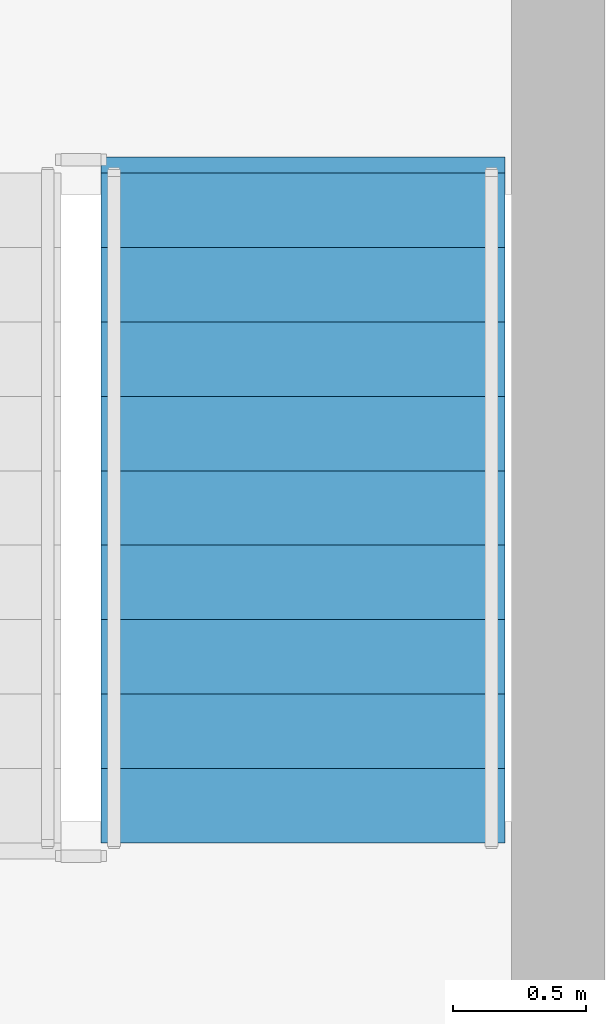
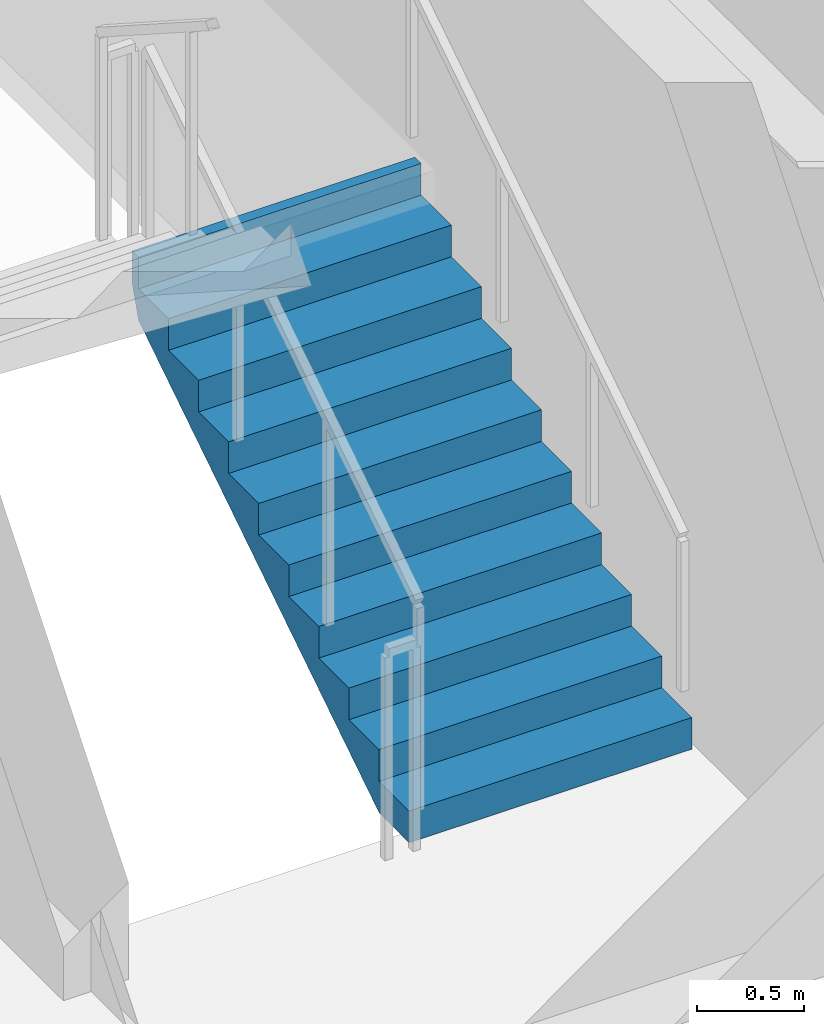
# One storey, part 8 of 11: 1 stair flight, 1 element without a shape of its own.
"""IFC4 building model written with IfcOpenShell, lengths in metres."""

from ifc_helpers import new_model, si_unit, direction, frame, origin, place, context, subcontext, project, spatial, polyline, outline, extrude, material, type_object, element, aggregate, save


model = new_model("IFC4")

# Units and contexts
model_context = context("Model", 3, precision=1e-05, world=origin(), true_north=direction((0.0, 1.0)))
body_context = subcontext(model_context, "Body", "Model", "MODEL_VIEW")
ifc_project = project(units=[si_unit("LENGTHUNIT", "METRE"), si_unit("AREAUNIT", "SQUARE_METRE"), si_unit("VOLUMEUNIT", "CUBIC_METRE"), si_unit("PLANEANGLEUNIT", "RADIAN"), si_unit("MASSUNIT", "GRAM", prefix="KILO")], contexts=[model_context])

# Site, building, storey
site_placement = place(None, origin())
site = spatial("IfcSite", under=ifc_project, at=site_placement, CompositionType="ELEMENT")
building_placement = place(site_placement, origin())
building = spatial("IfcBuilding", under=site, at=building_placement, Name="Orvandelia Arch Residences", CompositionType="ELEMENT")
storey_placement = place(building_placement, frame((0.0, 0.0, 93.39990234375)))
storey = spatial("IfcBuildingStorey", under=building, at=storey_placement, Name="L24", CompositionType="ELEMENT", Elevation=93.39990234375)

# Stair, stair flight
ifc_material = material(Name="Concrete C40/50", Category="concrete")
stair_type = type_object("IfcStairType", Name="STAIR-RC-DOGLEG", PredefinedType="HALF_TURN_STAIR", material=ifc_material)
stair_placement = place(storey_placement, origin())
stair = element("IfcStair", 1, at=stair_placement, inside=storey, type_object=stair_type, Name="L24 East Wing Exit Stair ST-3", PredefinedType="HALF_TURN_STAIR")
stair_flight_type = type_object("IfcStairFlightType", Name="STFLT-RC-1520", PredefinedType="STRAIGHT", material=ifc_material)
stair_flight_placement = place(storey_placement, frame((46.639892578125, 37.77001953125, 0.0), z_axis=(0.0, 0.0, 1.0), x_axis=(0.0, 1.0, 0.0)))
stair_flight = element("IfcStairFlight", 2, at=stair_flight_placement, type_object=stair_flight_type, Name="ST-3 flight 1", NumberOfRisers=10, NumberOfTreads=9, PredefinedType="STRAIGHT", RiserHeight=0.18, TreadLength=0.28, context=body_context, shape_type="SweptSolid", body=[
    extrude(outline(polyline([(0.0, 0.0), (0.0, 0.179931640625), (0.280029296875, 0.179931640625), (0.280029296875, 0.360107421875), (0.56005859375, 0.360107421875), (0.56005859375, 0.5400390625), (0.840087890625, 0.5400390625), (0.840087890625, 0.719970703125), (1.1201171875, 0.719970703125), (1.1201171875, 0.89990234375), (1.39990234375, 0.89990234375), (1.39990234375, 1.080078125), (1.679931640625, 1.080078125), (1.679931640625, 1.260009765625), (1.9599609375, 1.260009765625), (1.9599609375, 1.43994140625), (2.239990234375, 1.43994140625), (2.239990234375, 1.6201171875), (2.52001953125, 1.6201171875), (2.52001953125, 1.800048828125), (2.580078125, 1.800048828125), (2.580078125, 1.6201171875), (2.52001953125, 1.44189453125), (0.277099609375, 0.0), (0.0, 0.0)])), frame((0.0, 0.760009765625, 0.0), z_axis=(0.0, -1.0, 0.0), x_axis=(1.0, 0.0, 0.0)), (0.0, 0.0, 1.0), 1.52001953125),
])
aggregate(stair, [stair_flight])

save(model, "model.ifc")
